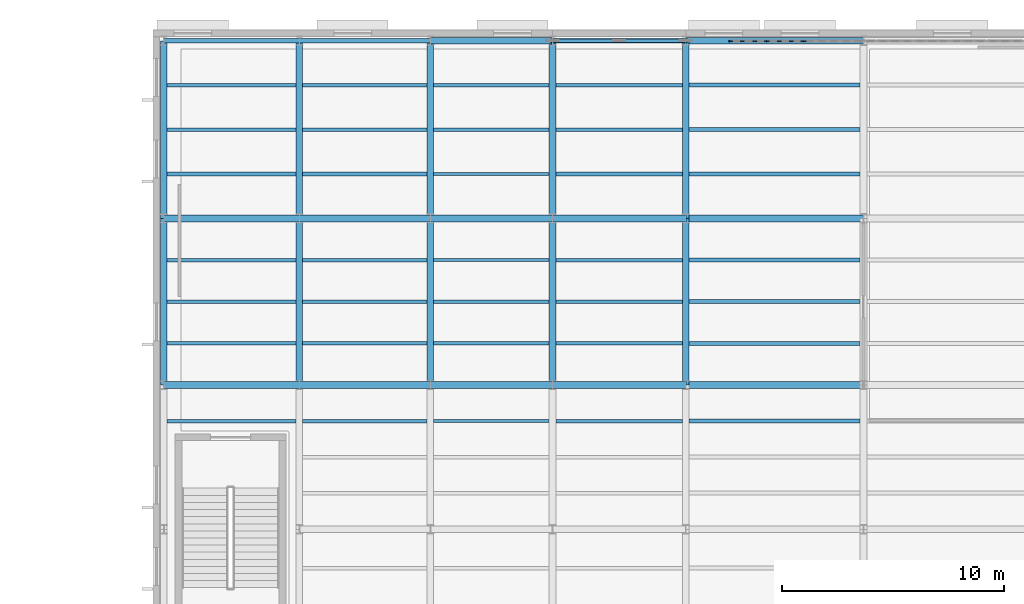
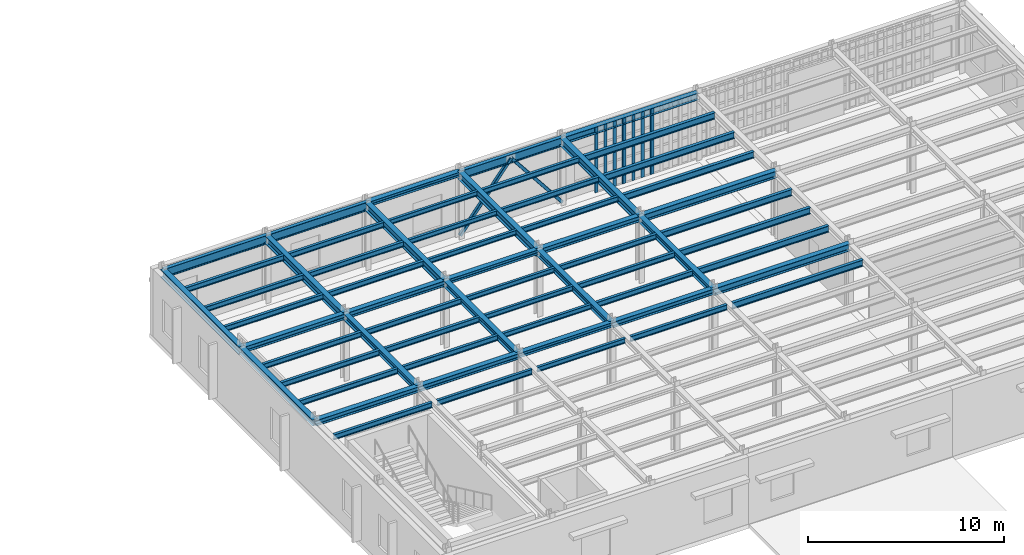
# One storey, part 31 of 91: 60 beams, 11 members, 3 elements without a shape of their own.
"""IFC4 building model written with IfcOpenShell, lengths in metres."""

from ifc_helpers import new_model, si_unit, direction, frame, origin, origin_2d, place, context, subcontext, project, spatial, rectangle, hollow_rectangle, i_section, extrude, material, material_profile, profile_set, type_object, element, aggregate, save


model = new_model("IFC4")

# Units and contexts
model_context = context("Model", 3, precision=1e-05, world=origin(), true_north=direction((0.0, 1.0)))
body_context = subcontext(model_context, "Body", "Model", "MODEL_VIEW")
ifc_project = project(units=[si_unit("LENGTHUNIT", "METRE"), si_unit("AREAUNIT", "SQUARE_METRE"), si_unit("VOLUMEUNIT", "CUBIC_METRE"), si_unit("PLANEANGLEUNIT", "RADIAN"), si_unit("MASSUNIT", "GRAM", prefix="KILO")], contexts=[model_context])

# Site, building, storey
site_placement = place(None, origin())
site = spatial("IfcSite", under=ifc_project, at=site_placement, CompositionType="ELEMENT")
building_placement = place(site_placement, origin())
building = spatial("IfcBuilding", under=site, at=building_placement, Name="Kolvaren Corner Interchange", CompositionType="ELEMENT")
storey_placement = place(building_placement, frame((0.0, 0.0, 6.0)))
storey = spatial("IfcBuildingStorey", under=building, at=storey_placement, Name="L02", CompositionType="ELEMENT", Elevation=6.0)

# Beams
ifc_material_1 = material(Name="Steel S355", Category="steel")
ifc_material_profile_1 = material_profile(ifc_material_1, i_section(OverallWidth=0.300048828125, OverallDepth=0.2900390625, WebThickness=0.008544921875, FlangeThickness=0.013916015625, FilletRadius=0.027099609375, at=origin_2d()), Name="HEA 300")
ifc_profile_set_1 = profile_set([ifc_material_profile_1], Name="Steel S355")
beam_type_1 = type_object("IfcBeamType", Name="BM-HEA300", PredefinedType="BEAM", material=ifc_profile_set_1)
for number, where, z_axis, x_axis, name in (
    (1, (78.5, 98.0, 4.034912109375), (1.0, 0.0, 0.0), (0.0, 1.0, 0.0), "Storey L02 Grid X Primary Girder 0721"),
    (2, (78.5, 105.5, 4.034912109375), (1.0, 0.0, 0.0), (0.0, 1.0, 0.0), "Storey L02 Grid X Primary Girder 0728"),
    (3, (78.5, 113.5, 4.034912109375), (1.0, 0.0, 0.0), (0.0, 1.0, 0.0), "Storey L02 Grid X Primary Girder 0735"),
):
    element("IfcBeam", number, at=place(storey_placement, frame(where, z_axis=z_axis, x_axis=x_axis)), inside=storey, type_object=beam_type_1, Name=name, PredefinedType="BEAM", context=body_context, shape_type="SweptSolid", body=[
        extrude(i_section(OverallWidth=0.300048828125, OverallDepth=0.2900390625, WebThickness=0.008544921875, FlangeThickness=0.013916015625, FilletRadius=0.027099609375, at=origin_2d()), origin(), (0.0, 0.0, 1.0), 5.5),
    ])
ifc_material_2 = material(Name="Steel S355", Category="steel")
ifc_material_profile_2 = material_profile(ifc_material_2, i_section(OverallWidth=0.300048828125, OverallDepth=0.35009765625, WebThickness=0.010009765625, FlangeThickness=0.017578125, FilletRadius=0.027099609375, at=origin_2d()), Name="HEA 360")
ifc_profile_set_2 = profile_set([ifc_material_profile_2], Name="Steel S355")
beam_type_2 = type_object("IfcBeamType", Name="BM-HEA360", PredefinedType="BEAM", material=ifc_profile_set_2)
beam_1_placement = place(storey_placement, frame((66.5, 98.0, 4.0048828125), z_axis=(1.0, 0.0, 0.0), x_axis=(0.0, 1.0, 0.0)))
element("IfcBeam", 4, at=beam_1_placement, inside=storey, type_object=beam_type_2, Name="Storey L02 Grid X Primary Girder 0719", PredefinedType="BEAM", context=body_context, shape_type="SweptSolid", body=[
    extrude(i_section(OverallWidth=0.300048828125, OverallDepth=0.35009765625, WebThickness=0.010009765625, FlangeThickness=0.017578125, FilletRadius=0.027099609375, at=origin_2d()), origin(), (0.0, 0.0, 1.0), 6.10009765625),
])
beam_2_placement = place(storey_placement, frame((72.60009765625, 98.0, 4.0048828125), z_axis=(1.0, 0.0, 0.0), x_axis=(0.0, 1.0, 0.0)))
element("IfcBeam", 5, at=beam_2_placement, inside=storey, type_object=beam_type_2, Name="Storey L02 Grid X Primary Girder 0720", PredefinedType="BEAM", context=body_context, shape_type="SweptSolid", body=[
    extrude(i_section(OverallWidth=0.300048828125, OverallDepth=0.35009765625, WebThickness=0.010009765625, FlangeThickness=0.017578125, FilletRadius=0.027099609375, at=origin_2d()), origin(), (0.0, 0.0, 1.0), 5.89990234375),
])
beam_3_placement = place(storey_placement, frame((84.0, 98.0, 4.0048828125), z_axis=(1.0, 0.0, 0.0), x_axis=(0.0, 1.0, 0.0)))
element("IfcBeam", 6, at=beam_3_placement, inside=storey, type_object=beam_type_2, Name="Storey L02 Grid X Primary Girder 0722", PredefinedType="BEAM", context=body_context, shape_type="SweptSolid", body=[
    extrude(i_section(OverallWidth=0.300048828125, OverallDepth=0.35009765625, WebThickness=0.010009765625, FlangeThickness=0.017578125, FilletRadius=0.027099609375, at=origin_2d()), origin(), (0.0, 0.0, 1.0), 6.0),
])
beam_4_placement = place(storey_placement, frame((66.5, 105.5, 4.0048828125), z_axis=(1.0, 0.0, 0.0), x_axis=(0.0, 1.0, 0.0)))
element("IfcBeam", 7, at=beam_4_placement, inside=storey, type_object=beam_type_2, Name="Storey L02 Grid X Primary Girder 0726", PredefinedType="BEAM", context=body_context, shape_type="SweptSolid", body=[
    extrude(i_section(OverallWidth=0.300048828125, OverallDepth=0.35009765625, WebThickness=0.010009765625, FlangeThickness=0.017578125, FilletRadius=0.027099609375, at=origin_2d()), origin(), (0.0, 0.0, 1.0), 6.10009765625),
])
beam_5_placement = place(storey_placement, frame((72.60009765625, 105.5, 4.0048828125), z_axis=(1.0, 0.0, 0.0), x_axis=(0.0, 1.0, 0.0)))
element("IfcBeam", 8, at=beam_5_placement, inside=storey, type_object=beam_type_2, Name="Storey L02 Grid X Primary Girder 0727", PredefinedType="BEAM", context=body_context, shape_type="SweptSolid", body=[
    extrude(i_section(OverallWidth=0.300048828125, OverallDepth=0.35009765625, WebThickness=0.010009765625, FlangeThickness=0.017578125, FilletRadius=0.027099609375, at=origin_2d()), origin(), (0.0, 0.0, 1.0), 5.89990234375),
])
beam_6_placement = place(storey_placement, frame((84.0, 105.5, 4.0048828125), z_axis=(1.0, 0.0, 0.0), x_axis=(0.0, 1.0, 0.0)))
element("IfcBeam", 9, at=beam_6_placement, inside=storey, type_object=beam_type_2, Name="Storey L02 Grid X Primary Girder 0729", PredefinedType="BEAM", context=body_context, shape_type="SweptSolid", body=[
    extrude(i_section(OverallWidth=0.300048828125, OverallDepth=0.35009765625, WebThickness=0.010009765625, FlangeThickness=0.017578125, FilletRadius=0.027099609375, at=origin_2d()), origin(), (0.0, 0.0, 1.0), 6.0),
])
ifc_material_3 = material(Name="Steel S355", Category="steel")
ifc_material_profile_3 = material_profile(ifc_material_3, i_section(OverallWidth=0.300048828125, OverallDepth=0.389892578125, WebThickness=0.010986328125, FlangeThickness=0.01904296875, FilletRadius=0.027099609375, at=origin_2d()), Name="HEA 400")
ifc_profile_set_3 = profile_set([ifc_material_profile_3], Name="Steel S355")
beam_type_3 = type_object("IfcBeamType", Name="BM-HEA400", PredefinedType="BEAM", material=ifc_profile_set_3)
for number, where, z_axis, x_axis, name in (
    (10, (66.5, 98.0, 3.985107421875), (0.0, 1.0, 0.0), (-1.0, 0.0, 0.0), "Storey L02 Grid Y Primary Girder 0788"),
    (11, (72.60009765625, 98.0, 3.985107421875), (0.0, 1.0, 0.0), (-1.0, 0.0, 0.0), "Storey L02 Grid Y Primary Girder 0792"),
    (12, (78.5, 98.0, 3.985107421875), (0.0, 1.0, 0.0), (-1.0, 0.0, 0.0), "Storey L02 Grid Y Primary Girder 0796"),
    (13, (84.0, 98.0, 3.985107421875), (0.0, 1.0, 0.0), (-1.0, 0.0, 0.0), "Storey L02 Grid Y Primary Girder 0800"),
    (14, (90.0, 98.0, 3.985107421875), (0.0, 1.0, 0.0), (-1.0, 0.0, 0.0), "Storey L02 Grid Y Primary Girder 0804"),
):
    element("IfcBeam", number, at=place(storey_placement, frame(where, z_axis=z_axis, x_axis=x_axis)), inside=storey, type_object=beam_type_3, Name=name, PredefinedType="BEAM", context=body_context, shape_type="SweptSolid", body=[
        extrude(i_section(OverallWidth=0.300048828125, OverallDepth=0.389892578125, WebThickness=0.010986328125, FlangeThickness=0.01904296875, FilletRadius=0.027099609375, at=origin_2d()), origin(), (0.0, 0.0, 1.0), 7.5),
    ])
ifc_material_4 = material(Name="Steel S355", Category="steel")
ifc_material_profile_4 = material_profile(ifc_material_4, i_section(OverallWidth=0.300048828125, OverallDepth=0.43994140625, WebThickness=0.011474609375, FlangeThickness=0.02099609375, FilletRadius=0.027099609375, at=origin_2d()), Name="HEA 450")
ifc_profile_set_4 = profile_set([ifc_material_profile_4], Name="Steel S355")
beam_type_4 = type_object("IfcBeamType", Name="BM-HEA450", PredefinedType="BEAM", material=ifc_profile_set_4)
for number, where, z_axis, x_axis, name in (
    (15, (90.0, 98.0, 3.9599609375), (1.0, 0.0, 0.0), (0.0, 1.0, 0.0), "Storey L02 Grid X Primary Girder 0723"),
    (16, (90.0, 105.5, 3.9599609375), (1.0, 0.0, 0.0), (0.0, 1.0, 0.0), "Storey L02 Grid X Primary Girder 0730"),
    (17, (90.0, 113.5, 3.9599609375), (1.0, 0.0, 0.0), (0.0, 1.0, 0.0), "Storey L02 Grid X Primary Girder 0737"),
):
    element("IfcBeam", number, at=place(storey_placement, frame(where, z_axis=z_axis, x_axis=x_axis)), inside=storey, type_object=beam_type_4, Name=name, PredefinedType="BEAM", context=body_context, shape_type="SweptSolid", body=[
        extrude(i_section(OverallWidth=0.300048828125, OverallDepth=0.43994140625, WebThickness=0.011474609375, FlangeThickness=0.02099609375, FilletRadius=0.027099609375, at=origin_2d()), origin(), (0.0, 0.0, 1.0), 8.0),
    ])
ifc_material_5 = material(Name="Steel S355", Category="steel")
ifc_material_profile_5 = material_profile(ifc_material_5, i_section(OverallWidth=0.300048828125, OverallDepth=0.489990234375, WebThickness=0.011962890625, FlangeThickness=0.02294921875, FilletRadius=0.027099609375, at=origin_2d()), Name="HEA 500")
ifc_profile_set_5 = profile_set([ifc_material_profile_5], Name="Steel S355")
beam_type_5 = type_object("IfcBeamType", Name="BM-HEA500", PredefinedType="BEAM", material=ifc_profile_set_5)
for number, where, z_axis, x_axis, name in (
    (18, (66.5, 105.5, 3.93505859375), (0.0, 1.0, 0.0), (-1.0, 0.0, 0.0), "Storey L02 Grid Y Primary Girder 0789"),
    (19, (72.60009765625, 105.5, 3.93505859375), (0.0, 1.0, 0.0), (-1.0, 0.0, 0.0), "Storey L02 Grid Y Primary Girder 0793"),
    (20, (78.5, 105.5, 3.93505859375), (0.0, 1.0, 0.0), (-1.0, 0.0, 0.0), "Storey L02 Grid Y Primary Girder 0797"),
    (21, (84.0, 105.5, 3.93505859375), (0.0, 1.0, 0.0), (-1.0, 0.0, 0.0), "Storey L02 Grid Y Primary Girder 0801"),
    (22, (90.0, 105.5, 3.93505859375), (0.0, 1.0, 0.0), (-1.0, 0.0, 0.0), "Storey L02 Grid Y Primary Girder 0805"),
):
    element("IfcBeam", number, at=place(storey_placement, frame(where, z_axis=z_axis, x_axis=x_axis)), inside=storey, type_object=beam_type_5, Name=name, PredefinedType="BEAM", context=body_context, shape_type="SweptSolid", body=[
        extrude(i_section(OverallWidth=0.300048828125, OverallDepth=0.489990234375, WebThickness=0.011962890625, FlangeThickness=0.02294921875, FilletRadius=0.027099609375, at=origin_2d()), origin(), (0.0, 0.0, 1.0), 8.0),
    ])
ifc_material_6 = material(Name="Steel S355", Category="steel")
ifc_material_profile_6 = material_profile(ifc_material_6, i_section(OverallWidth=0.14990234375, OverallDepth=0.300048828125, WebThickness=0.007080078125, FlangeThickness=0.0107421875, FilletRadius=0.014892578125, at=origin_2d()), Name="IPE 300")
ifc_profile_set_6 = profile_set([ifc_material_profile_6], Name="Steel S355")
beam_type_6 = type_object("IfcBeamType", Name="JS-IPE300", PredefinedType="JOIST", material=ifc_profile_set_6)
for number, where, z_axis, x_axis, name in (
    (23, (78.64990234375, 96.375, 4.030029296875), (1.0, 0.0, 0.0), (0.0, 1.0, 0.0), "Storey L02 Composite Floor Joist 0709"),
    (24, (78.64990234375, 99.875, 4.030029296875), (1.0, 0.0, 0.0), (0.0, 1.0, 0.0), "Storey L02 Composite Floor Joist 0710"),
    (25, (78.64990234375, 101.75, 4.030029296875), (1.0, 0.0, 0.0), (0.0, 1.0, 0.0), "Storey L02 Composite Floor Joist 0711"),
    (26, (78.64990234375, 103.625, 4.030029296875), (1.0, 0.0, 0.0), (0.0, 1.0, 0.0), "Storey L02 Composite Floor Joist 0712"),
    (27, (78.64990234375, 107.5, 4.030029296875), (1.0, 0.0, 0.0), (0.0, 1.0, 0.0), "Storey L02 Composite Floor Joist 0713"),
    (28, (78.64990234375, 109.5, 4.030029296875), (1.0, 0.0, 0.0), (0.0, 1.0, 0.0), "Storey L02 Composite Floor Joist 0714"),
    (29, (78.64990234375, 111.5, 4.030029296875), (1.0, 0.0, 0.0), (0.0, 1.0, 0.0), "Storey L02 Composite Floor Joist 0715"),
):
    element("IfcBeam", number, at=place(storey_placement, frame(where, z_axis=z_axis, x_axis=x_axis)), inside=storey, type_object=beam_type_6, Name=name, PredefinedType="JOIST", context=body_context, shape_type="SweptSolid", body=[
        extrude(i_section(OverallWidth=0.14990234375, OverallDepth=0.300048828125, WebThickness=0.007080078125, FlangeThickness=0.0107421875, FilletRadius=0.014892578125, at=origin_2d()), origin(), (0.0, 0.0, 1.0), 5.2001953125),
    ])
ifc_material_7 = material(Name="Steel S355", Category="steel")
ifc_material_profile_7 = material_profile(ifc_material_7, i_section(OverallWidth=0.159912109375, OverallDepth=0.330078125, WebThickness=0.007568359375, FlangeThickness=0.011474609375, FilletRadius=0.01806640625, at=origin_2d()), Name="IPE 330")
ifc_profile_set_7 = profile_set([ifc_material_profile_7], Name="Steel S355")
beam_type_7 = type_object("IfcBeamType", Name="JS-IPE330", PredefinedType="JOIST", material=ifc_profile_set_7)
for number, where, z_axis, x_axis, name in (
    (30, (66.64990234375, 96.375, 4.014892578125), (1.0, 0.0, 0.0), (0.0, 1.0, 0.0), "Storey L02 Composite Floor Joist 0686"),
    (31, (66.64990234375, 99.875, 4.014892578125), (1.0, 0.0, 0.0), (0.0, 1.0, 0.0), "Storey L02 Composite Floor Joist 0687"),
    (32, (66.64990234375, 101.75, 4.014892578125), (1.0, 0.0, 0.0), (0.0, 1.0, 0.0), "Storey L02 Composite Floor Joist 0688"),
    (33, (66.64990234375, 103.625, 4.014892578125), (1.0, 0.0, 0.0), (0.0, 1.0, 0.0), "Storey L02 Composite Floor Joist 0689"),
    (34, (66.64990234375, 107.5, 4.014892578125), (1.0, 0.0, 0.0), (0.0, 1.0, 0.0), "Storey L02 Composite Floor Joist 0690"),
    (35, (66.64990234375, 109.5, 4.014892578125), (1.0, 0.0, 0.0), (0.0, 1.0, 0.0), "Storey L02 Composite Floor Joist 0691"),
    (36, (66.64990234375, 111.5, 4.014892578125), (1.0, 0.0, 0.0), (0.0, 1.0, 0.0), "Storey L02 Composite Floor Joist 0692"),
):
    element("IfcBeam", number, at=place(storey_placement, frame(where, z_axis=z_axis, x_axis=x_axis)), inside=storey, type_object=beam_type_7, Name=name, PredefinedType="JOIST", context=body_context, shape_type="SweptSolid", body=[
        extrude(i_section(OverallWidth=0.159912109375, OverallDepth=0.330078125, WebThickness=0.007568359375, FlangeThickness=0.011474609375, FilletRadius=0.01806640625, at=origin_2d()), origin(), (0.0, 0.0, 1.0), 5.800048828125),
    ])
for number, where, z_axis, x_axis, name in (
    (37, (72.75, 96.375, 4.014892578125), (1.0, 0.0, 0.0), (0.0, 1.0, 0.0), "Storey L02 Composite Floor Joist 0697"),
    (38, (72.75, 99.875, 4.014892578125), (1.0, 0.0, 0.0), (0.0, 1.0, 0.0), "Storey L02 Composite Floor Joist 0698"),
    (39, (72.75, 101.75, 4.014892578125), (1.0, 0.0, 0.0), (0.0, 1.0, 0.0), "Storey L02 Composite Floor Joist 0699"),
    (40, (72.75, 103.625, 4.014892578125), (1.0, 0.0, 0.0), (0.0, 1.0, 0.0), "Storey L02 Composite Floor Joist 0700"),
    (41, (72.75, 107.5, 4.014892578125), (1.0, 0.0, 0.0), (0.0, 1.0, 0.0), "Storey L02 Composite Floor Joist 0701"),
    (42, (72.75, 109.5, 4.014892578125), (1.0, 0.0, 0.0), (0.0, 1.0, 0.0), "Storey L02 Composite Floor Joist 0702"),
    (43, (72.75, 111.5, 4.014892578125), (1.0, 0.0, 0.0), (0.0, 1.0, 0.0), "Storey L02 Composite Floor Joist 0703"),
):
    element("IfcBeam", number, at=place(storey_placement, frame(where, z_axis=z_axis, x_axis=x_axis)), inside=storey, type_object=beam_type_7, Name=name, PredefinedType="JOIST", context=body_context, shape_type="SweptSolid", body=[
        extrude(i_section(OverallWidth=0.159912109375, OverallDepth=0.330078125, WebThickness=0.007568359375, FlangeThickness=0.011474609375, FilletRadius=0.01806640625, at=origin_2d()), origin(), (0.0, 0.0, 1.0), 5.60009765625),
    ])
for number, where, z_axis, x_axis, name in (
    (44, (84.14990234375, 96.375, 4.014892578125), (1.0, 0.0, 0.0), (0.0, 1.0, 0.0), "Storey L02 Composite Floor Joist 0721"),
    (45, (84.14990234375, 99.875, 4.014892578125), (1.0, 0.0, 0.0), (0.0, 1.0, 0.0), "Storey L02 Composite Floor Joist 0722"),
    (46, (84.14990234375, 101.75, 4.014892578125), (1.0, 0.0, 0.0), (0.0, 1.0, 0.0), "Storey L02 Composite Floor Joist 0723"),
    (47, (84.14990234375, 103.625, 4.014892578125), (1.0, 0.0, 0.0), (0.0, 1.0, 0.0), "Storey L02 Composite Floor Joist 0724"),
    (48, (84.14990234375, 107.5, 4.014892578125), (1.0, 0.0, 0.0), (0.0, 1.0, 0.0), "Storey L02 Composite Floor Joist 0725"),
    (49, (84.14990234375, 109.5, 4.014892578125), (1.0, 0.0, 0.0), (0.0, 1.0, 0.0), "Storey L02 Composite Floor Joist 0726"),
    (50, (84.14990234375, 111.5, 4.014892578125), (1.0, 0.0, 0.0), (0.0, 1.0, 0.0), "Storey L02 Composite Floor Joist 0727"),
):
    element("IfcBeam", number, at=place(storey_placement, frame(where, z_axis=z_axis, x_axis=x_axis)), inside=storey, type_object=beam_type_7, Name=name, PredefinedType="JOIST", context=body_context, shape_type="SweptSolid", body=[
        extrude(i_section(OverallWidth=0.159912109375, OverallDepth=0.330078125, WebThickness=0.007568359375, FlangeThickness=0.011474609375, FilletRadius=0.01806640625, at=origin_2d()), origin(), (0.0, 0.0, 1.0), 5.7001953125),
    ])
ifc_material_8 = material(Name="Steel S355", Category="steel")
ifc_material_profile_8 = material_profile(ifc_material_8, i_section(OverallWidth=0.179931640625, OverallDepth=0.39990234375, WebThickness=0.008544921875, FlangeThickness=0.013427734375, FilletRadius=0.02099609375, at=origin_2d()), Name="IPE 400")
ifc_profile_set_8 = profile_set([ifc_material_profile_8], Name="Steel S355")
beam_type_8 = type_object("IfcBeamType", Name="JS-IPE400", PredefinedType="JOIST", material=ifc_profile_set_8)
for number, where, z_axis, x_axis, name in (
    (51, (90.14990234375, 96.375, 3.97998046875), (1.0, 0.0, 0.0), (0.0, 1.0, 0.0), "Storey L02 Composite Floor Joist 0733"),
    (52, (90.14990234375, 99.875, 3.97998046875), (1.0, 0.0, 0.0), (0.0, 1.0, 0.0), "Storey L02 Composite Floor Joist 0734"),
    (53, (90.14990234375, 101.75, 3.97998046875), (1.0, 0.0, 0.0), (0.0, 1.0, 0.0), "Storey L02 Composite Floor Joist 0735"),
    (54, (90.14990234375, 103.625, 3.97998046875), (1.0, 0.0, 0.0), (0.0, 1.0, 0.0), "Storey L02 Composite Floor Joist 0736"),
    (55, (90.14990234375, 107.5, 3.97998046875), (1.0, 0.0, 0.0), (0.0, 1.0, 0.0), "Storey L02 Composite Floor Joist 0737"),
    (56, (90.14990234375, 109.5, 3.97998046875), (1.0, 0.0, 0.0), (0.0, 1.0, 0.0), "Storey L02 Composite Floor Joist 0738"),
    (57, (90.14990234375, 111.5, 3.97998046875), (1.0, 0.0, 0.0), (0.0, 1.0, 0.0), "Storey L02 Composite Floor Joist 0739"),
):
    element("IfcBeam", number, at=place(storey_placement, frame(where, z_axis=z_axis, x_axis=x_axis)), inside=storey, type_object=beam_type_8, Name=name, PredefinedType="JOIST", context=body_context, shape_type="SweptSolid", body=[
        extrude(i_section(OverallWidth=0.179931640625, OverallDepth=0.39990234375, WebThickness=0.008544921875, FlangeThickness=0.013427734375, FilletRadius=0.02099609375, at=origin_2d()), origin(), (0.0, 0.0, 1.0), 7.7001953125),
    ])

# Members
ifc_material_9 = material(Name="Steel S355", Category="steel")
ifc_material_profile_9 = material_profile(ifc_material_9, hollow_rectangle(XDim=0.179931640625, YDim=0.179931640625, WallThickness=0.010009765625, InnerFilletRadius=0.010009765625, OuterFilletRadius=0.02001953125, at=origin_2d()), Name="SHS 180x180x10.0")
ifc_profile_set_9 = profile_set([ifc_material_profile_9], Name="Steel S355")
member_type_1 = type_object("IfcMemberType", Name="MEM-BR-SHS180", PredefinedType="BRACE", material=ifc_profile_set_9)
for number, where, z_axis, x_axis, name in (
    (58, (84.0, 113.5, 0.1201171875), (0.621162484267, 0.0, 0.783681802864), (0.0, 1.0, 0.0), "Storey L02 Lateral Chevron Steel Brace 11 Left"),
    (59, (90.0, 113.5, 0.1201171875), (-0.621162484267, 0.0, 0.783681802864), (0.0, -1.0, 0.0), "Storey L02 Lateral Chevron Steel Brace 11 Right"),
):
    element("IfcMember", number, at=place(storey_placement, frame(where, z_axis=z_axis, x_axis=x_axis)), inside=storey, type_object=member_type_1, Name=name, PredefinedType="BRACE", context=body_context, shape_type="SweptSolid", body=[
        extrude(hollow_rectangle(XDim=0.179931640625, YDim=0.179931640625, WallThickness=0.010009765625, InnerFilletRadius=0.010009765625, OuterFilletRadius=0.02001953125, at=origin_2d()), origin(), (0.0, 0.0, 1.0), 4.82958984375),
    ])

# Curtain wall, members
ifc_material_10 = material(Name="Unitised Aluminium and Solar-Control Glass Curtain Wall", Category="aluminium")
curtain_wall_type = type_object("IfcCurtainWallType", Name="CW-V3-MEZZ", PredefinedType="NOTDEFINED", material=ifc_material_10)
curtain_wall_1_placement = place(storey_placement, origin())
curtain_wall_1 = element("IfcCurtainWall", 60, at=curtain_wall_1_placement, inside=storey, type_object=curtain_wall_type, Name="Cycle Mezzanine North Curtain Wall Bay 01", PredefinedType="NOTDEFINED")
ifc_material_11 = material(Name="Anodised Aluminium Framing", Category="aluminium")
ifc_material_profile_10 = material_profile(ifc_material_11, rectangle(XDim=0.06005859375, YDim=0.179931640625, at=origin_2d()), Name="ALU 60x180")
ifc_profile_set_10 = profile_set([ifc_material_profile_10], Name="Anodised Aluminium Framing")
member_type_2 = type_object("IfcMemberType", Name="MUL-ALU60x180", PredefinedType="MULLION", material=ifc_profile_set_10)
member_1_placement = place(storey_placement, frame((92.030029296875, 113.47998046875, 0.0), z_axis=(0.0, 0.0, 1.0), x_axis=(0.0, 1.0, 0.0)))
member_1 = element("IfcMember", 61, at=member_1_placement, type_object=member_type_2, Name="CW-114 mullion 1", PredefinedType="MULLION", context=body_context, shape_type="SweptSolid", body=[
    extrude(rectangle(XDim=0.06005859375, YDim=0.179931640625, at=origin_2d()), origin(), (0.0, 0.0, 1.0), 4.159912109375),
])
member_2_placement = place(storey_placement, frame((92.550048828125, 113.47998046875, 0.0), z_axis=(0.0, 0.0, 1.0), x_axis=(0.0, 1.0, 0.0)))
member_2 = element("IfcMember", 62, at=member_2_placement, type_object=member_type_2, Name="CW-114 mullion 2", PredefinedType="MULLION", context=body_context, shape_type="SweptSolid", body=[
    extrude(rectangle(XDim=0.06005859375, YDim=0.179931640625, at=origin_2d()), origin(), (0.0, 0.0, 1.0), 4.159912109375),
])
member_3_placement = place(storey_placement, frame((93.10009765625, 113.47998046875, 0.0), z_axis=(0.0, 0.0, 1.0), x_axis=(0.0, 1.0, 0.0)))
member_3 = element("IfcMember", 63, at=member_3_placement, type_object=member_type_2, Name="CW-114 mullion 3", PredefinedType="MULLION", context=body_context, shape_type="SweptSolid", body=[
    extrude(rectangle(XDim=0.06005859375, YDim=0.179931640625, at=origin_2d()), origin(), (0.0, 0.0, 1.0), 4.159912109375),
])
member_4_placement = place(storey_placement, frame((93.6201171875, 113.47998046875, 0.0), z_axis=(0.0, 0.0, 1.0), x_axis=(0.0, 1.0, 0.0)))
member_4 = element("IfcMember", 64, at=member_4_placement, type_object=member_type_2, Name="CW-114 mullion 4", PredefinedType="MULLION", context=body_context, shape_type="SweptSolid", body=[
    extrude(rectangle(XDim=0.06005859375, YDim=0.179931640625, at=origin_2d()), origin(), (0.0, 0.0, 1.0), 4.159912109375),
])
aggregate(curtain_wall_1, [member_1, member_2, member_3, member_4])

curtain_wall_2_placement = place(storey_placement, origin())
curtain_wall_2 = element("IfcCurtainWall", 65, at=curtain_wall_2_placement, inside=storey, type_object=curtain_wall_type, Name="Cycle Mezzanine North Curtain Wall Bay 02", PredefinedType="NOTDEFINED")
member_5_placement = place(storey_placement, frame((93.679931640625, 113.47998046875, 0.0), z_axis=(0.0, 0.0, 1.0), x_axis=(0.0, 1.0, 0.0)))
member_5 = element("IfcMember", 66, at=member_5_placement, type_object=member_type_2, Name="CW-115 mullion 1", PredefinedType="MULLION", context=body_context, shape_type="SweptSolid", body=[
    extrude(rectangle(XDim=0.06005859375, YDim=0.179931640625, at=origin_2d()), origin(), (0.0, 0.0, 1.0), 4.159912109375),
])
member_6_placement = place(storey_placement, frame((94.199951171875, 113.47998046875, 0.0), z_axis=(0.0, 0.0, 1.0), x_axis=(0.0, 1.0, 0.0)))
member_6 = element("IfcMember", 67, at=member_6_placement, type_object=member_type_2, Name="CW-115 mullion 2", PredefinedType="MULLION", context=body_context, shape_type="SweptSolid", body=[
    extrude(rectangle(XDim=0.06005859375, YDim=0.179931640625, at=origin_2d()), origin(), (0.0, 0.0, 1.0), 4.159912109375),
])
member_7_placement = place(storey_placement, frame((94.75, 113.47998046875, 0.0), z_axis=(0.0, 0.0, 1.0), x_axis=(0.0, 1.0, 0.0)))
member_7 = element("IfcMember", 68, at=member_7_placement, type_object=member_type_2, Name="CW-115 mullion 3", PredefinedType="MULLION", context=body_context, shape_type="SweptSolid", body=[
    extrude(rectangle(XDim=0.06005859375, YDim=0.179931640625, at=origin_2d()), origin(), (0.0, 0.0, 1.0), 4.159912109375),
])
member_8_placement = place(storey_placement, frame((95.27001953125, 113.47998046875, 0.0), z_axis=(0.0, 0.0, 1.0), x_axis=(0.0, 1.0, 0.0)))
member_8 = element("IfcMember", 69, at=member_8_placement, type_object=member_type_2, Name="CW-115 mullion 4", PredefinedType="MULLION", context=body_context, shape_type="SweptSolid", body=[
    extrude(rectangle(XDim=0.06005859375, YDim=0.179931640625, at=origin_2d()), origin(), (0.0, 0.0, 1.0), 4.159912109375),
])
aggregate(curtain_wall_2, [member_5, member_6, member_7, member_8])

# Curtain wall, member
curtain_wall_3_placement = place(storey_placement, origin())
curtain_wall_3 = element("IfcCurtainWall", 70, at=curtain_wall_3_placement, inside=storey, type_object=curtain_wall_type, Name="Cycle Mezzanine North Curtain Wall Bay 03", PredefinedType="NOTDEFINED")
member_9_placement = place(storey_placement, frame((95.330078125, 113.47998046875, 0.0), z_axis=(0.0, 0.0, 1.0), x_axis=(0.0, 1.0, 0.0)))
member_9 = element("IfcMember", 71, at=member_9_placement, type_object=member_type_2, Name="CW-116 mullion 1", PredefinedType="MULLION", context=body_context, shape_type="SweptSolid", body=[
    extrude(rectangle(XDim=0.06005859375, YDim=0.179931640625, at=origin_2d()), origin(), (0.0, 0.0, 1.0), 4.159912109375),
])
aggregate(curtain_wall_3, [member_9])

# Beams
ifc_material_12 = material(Name="Steel S355", Category="steel")
ifc_material_profile_11 = material_profile(ifc_material_12, i_section(OverallWidth=0.2099609375, OverallDepth=0.550048828125, WebThickness=0.010986328125, FlangeThickness=0.01708984375, FilletRadius=0.02392578125, at=origin_2d()), Name="IPE 550")
ifc_profile_set_11 = profile_set([ifc_material_profile_11], Name="Steel S355")
beam_type_9 = type_object("IfcBeamType", Name="SP-IPE550", PredefinedType="SPANDREL", material=ifc_profile_set_11)
beam_7_placement = place(storey_placement, frame((66.5, 113.5, 3.905029296875), z_axis=(1.0, 0.0, 0.0), x_axis=(0.0, 1.0, 0.0)))
element("IfcBeam", 72, at=beam_7_placement, inside=storey, type_object=beam_type_9, Name="Storey L02 Grid X Primary Girder 0733", PredefinedType="SPANDREL", context=body_context, shape_type="SweptSolid", body=[
    extrude(i_section(OverallWidth=0.2099609375, OverallDepth=0.550048828125, WebThickness=0.010986328125, FlangeThickness=0.01708984375, FilletRadius=0.02392578125, at=origin_2d()), origin(), (0.0, 0.0, 1.0), 6.10009765625),
])
beam_8_placement = place(storey_placement, frame((72.60009765625, 113.5, 3.905029296875), z_axis=(1.0, 0.0, 0.0), x_axis=(0.0, 1.0, 0.0)))
element("IfcBeam", 73, at=beam_8_placement, inside=storey, type_object=beam_type_9, Name="Storey L02 Grid X Primary Girder 0734", PredefinedType="SPANDREL", context=body_context, shape_type="SweptSolid", body=[
    extrude(i_section(OverallWidth=0.2099609375, OverallDepth=0.550048828125, WebThickness=0.010986328125, FlangeThickness=0.01708984375, FilletRadius=0.02392578125, at=origin_2d()), origin(), (0.0, 0.0, 1.0), 5.89990234375),
])
beam_9_placement = place(storey_placement, frame((84.0, 113.5, 3.905029296875), z_axis=(1.0, 0.0, 0.0), x_axis=(0.0, 1.0, 0.0)))
element("IfcBeam", 74, at=beam_9_placement, inside=storey, type_object=beam_type_9, Name="Storey L02 Grid X Primary Girder 0736", PredefinedType="SPANDREL", context=body_context, shape_type="SweptSolid", body=[
    extrude(i_section(OverallWidth=0.2099609375, OverallDepth=0.550048828125, WebThickness=0.010986328125, FlangeThickness=0.01708984375, FilletRadius=0.02392578125, at=origin_2d()), origin(), (0.0, 0.0, 1.0), 6.0),
])

save(model, "model.ifc")
